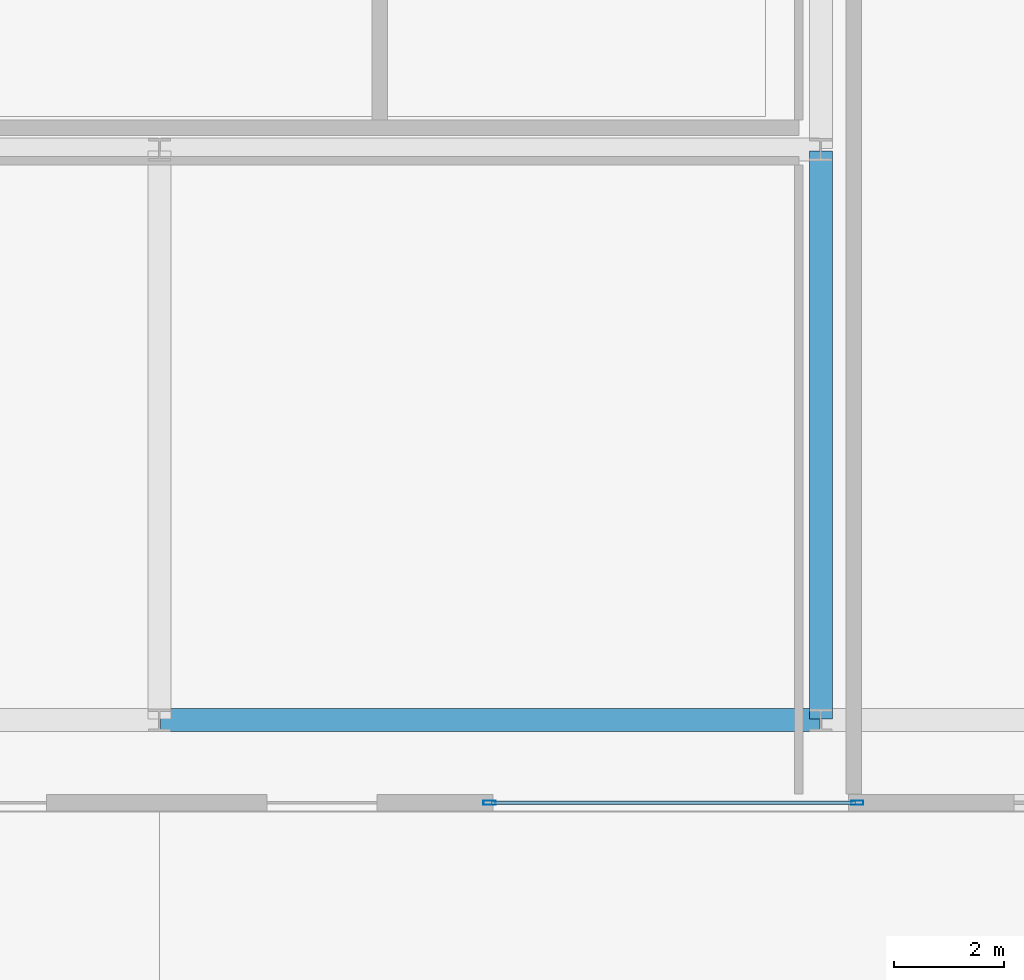
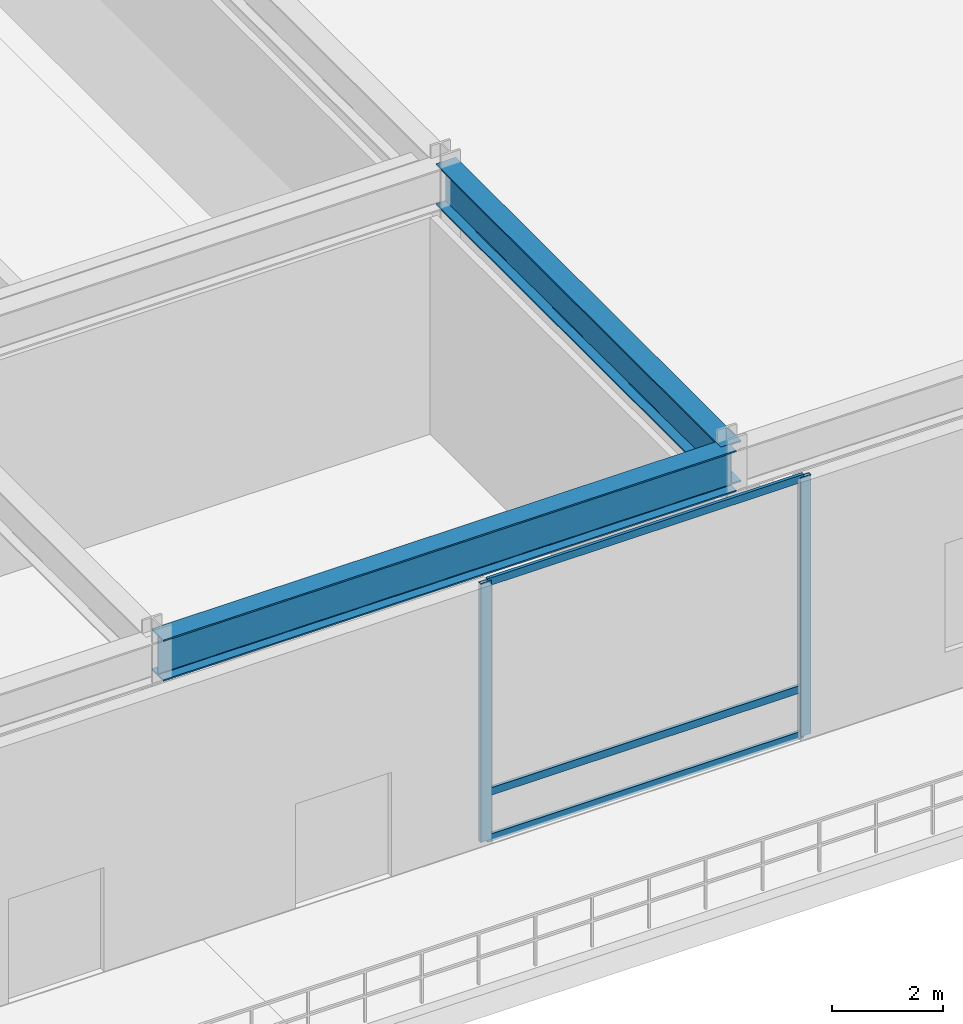
# One storey, part 7 of 17: 5 members, 2 beams, 1 element without a shape of its own.
"""IFC4 building model written with IfcOpenShell, lengths in metres."""

from ifc_helpers import new_model, si_unit, direction, frame, origin, origin_2d, place, context, subcontext, project, spatial, hollow_rectangle, i_section, extrude, source, transform, mapped, material, layer, layer_set, material_profile, profile_set, type_object, type_shapes, element, aggregate, save


model = new_model("IFC4")

# Units and contexts
model_context = context("Model", 3, precision=1e-05, world=origin(), true_north=direction((0.0, 1.0)))
body_context = subcontext(model_context, "Body", "Model", "MODEL_VIEW")
ifc_project = project(units=[si_unit("LENGTHUNIT", "METRE"), si_unit("AREAUNIT", "SQUARE_METRE"), si_unit("VOLUMEUNIT", "CUBIC_METRE"), si_unit("PLANEANGLEUNIT", "RADIAN"), si_unit("MASSUNIT", "GRAM", prefix="KILO")], contexts=[model_context])

# Site, building, storey
site_placement = place(None, origin())
site = spatial("IfcSite", under=ifc_project, at=site_placement, CompositionType="ELEMENT")
building_placement = place(site_placement, origin())
building = spatial("IfcBuilding", under=site, at=building_placement, Name="Varnel Quay Broadcast Tower", CompositionType="ELEMENT")
storey_placement = place(building_placement, origin())
storey = spatial("IfcBuildingStorey", under=building, at=storey_placement, Name="L00", CompositionType="ELEMENT", Elevation=0.0)

# Beams
ifc_material_1 = material(Name="Structural Steel CSA G40.21 350W", Category="steel")
ifc_material_profile_1 = material_profile(ifc_material_1, i_section(OverallWidth=0.41796875, OverallDepth=0.912109375, WebThickness=0.019287109375, FlangeThickness=0.031982421875, FilletRadius=0.02197265625, at=origin_2d()), Name="W920X342")
ifc_profile_set_1 = profile_set([ifc_material_profile_1], Name="Structural Steel CSA G40.21 350W")
beam_type = type_object("IfcBeamType", Name="Girder_W920X342", PredefinedType="BEAM", material=ifc_profile_set_1)
shared_shape_1 = source(origin(), body_context, "Body", "SweptSolid", [
    extrude(i_section(OverallWidth=0.41796875, OverallDepth=0.912109375, WebThickness=0.019287109375, FlangeThickness=0.031982421875, FilletRadius=0.02197265625, at=origin_2d()), origin(), (0.0, 0.0, 1.0), 11.9599609375),
])
beam_1_placement = place(storey_placement, frame((34.02001953125, 1.64990234375, 5.263916015625), z_axis=(1.0, 0.0, 0.0), x_axis=(0.0, 1.0, 0.0)))
element("IfcBeam", 1, at=beam_1_placement, inside=storey, type_object=beam_type, Name="L00 Girder G-PS3", PredefinedType="BEAM", context=body_context, shape_type="MappedRepresentation", body=[
    mapped(shared_shape_1, transform((0.0, 0.0, 0.0), x_axis=(1.0, 0.0, 0.0), y_axis=(0.0, 1.0, 0.0), z_axis=(0.0, 0.0, 1.0), scale=1.0)),
])
shared_shape_2 = source(origin(), body_context, "Body", "SweptSolid", [
    extrude(i_section(OverallWidth=0.41796875, OverallDepth=0.912109375, WebThickness=0.019287109375, FlangeThickness=0.031982421875, FilletRadius=0.02197265625, at=origin_2d()), origin(), (0.0, 0.0, 1.0), 10.31005859375),
])
type_shapes(beam_type, [shared_shape_1, shared_shape_2])
beam_2_placement = place(storey_placement, frame((46.0, 1.669921875, 5.263916015625), z_axis=(0.0, 1.0, 0.0), x_axis=(-1.0, 0.0, 0.0)))
element("IfcBeam", 2, at=beam_2_placement, inside=storey, type_object=beam_type, Name="L00 Girder G-M3", PredefinedType="BEAM", context=body_context, shape_type="MappedRepresentation", body=[
    mapped(shared_shape_2, transform((0.0, 0.0, 0.0), x_axis=(1.0, 0.0, 0.0), y_axis=(0.0, 1.0, 0.0), z_axis=(0.0, 0.0, 1.0), scale=1.0)),
])

# Curtain wall, members
ifc_material_2 = material(Name="Anodised Bronze Aluminium 6063-T6", Category="aluminium")
ifc_layer = layer(ifc_material_2, 0.18994140625, Name="Anodised Bronze Aluminium 6063-T6")
ifc_layer_set = layer_set([ifc_layer], Name="Anodised Bronze Aluminium 6063-T6")
curtain_wall_type = type_object("IfcCurtainWallType", Name="CW_PodiumForum", PredefinedType="NOTDEFINED", material=ifc_layer_set)
curtain_wall_placement = place(storey_placement, origin())
curtain_wall = element("IfcCurtainWall", 3, at=curtain_wall_placement, inside=storey, type_object=curtain_wall_type, Name="L00 Waterfront Forum East Glazing", PredefinedType="NOTDEFINED")
ifc_material_profile_2 = material_profile(ifc_material_2, hollow_rectangle(XDim=0.074951171875, YDim=0.219970703125, WallThickness=0.00390625, at=origin_2d()), Name="ALU75X220X4")
ifc_profile_set_2 = profile_set([ifc_material_profile_2], Name="Anodised Bronze Aluminium 6063-T6")
member_type_1 = type_object("IfcMemberType", Name="Mull_CWS-01", PredefinedType="MULLION", material=ifc_profile_set_2)
shared_shape_3 = source(origin(), body_context, "Body", "SweptSolid", [
    extrude(hollow_rectangle(XDim=0.074951171875, YDim=0.219970703125, WallThickness=0.00390625, at=origin_2d()), origin(), (0.0, 0.0, 1.0), 5.719970703125),
])
type_shapes(member_type_1, [shared_shape_3])
member_1_placement = place(storey_placement, frame((39.987548828125, 0.14990234375, 0.0), z_axis=(0.0, 0.0, 1.0), x_axis=(0.0, 1.0, 0.0)))
member_1 = element("IfcMember", 4, at=member_1_placement, type_object=member_type_1, Name="CWS-01 mullion 1", PredefinedType="MULLION", context=body_context, shape_type="MappedRepresentation", body=[
    mapped(shared_shape_3, transform((0.0, 0.0, 0.0), x_axis=(1.0, 0.0, 0.0), y_axis=(0.0, 1.0, 0.0), z_axis=(0.0, 0.0, 1.0), scale=1.0)),
])
member_2_placement = place(storey_placement, frame((46.66259765625, 0.14990234375, 0.0), z_axis=(0.0, 0.0, 1.0), x_axis=(0.0, 1.0, 0.0)))
member_2 = element("IfcMember", 5, at=member_2_placement, type_object=member_type_1, Name="CWS-01 mullion 2", PredefinedType="MULLION", context=body_context, shape_type="MappedRepresentation", body=[
    mapped(shared_shape_3, transform((0.0, 0.0, 0.0), x_axis=(1.0, 0.0, 0.0), y_axis=(0.0, 1.0, 0.0), z_axis=(0.0, 0.0, 1.0), scale=1.0)),
])
ifc_material_profile_3 = material_profile(ifc_material_2, hollow_rectangle(XDim=0.06494140625, YDim=0.1650390625, WallThickness=0.00341796875, at=origin_2d()), Name="ALU65X165X3.5")
ifc_profile_set_3 = profile_set([ifc_material_profile_3], Name="Anodised Bronze Aluminium 6063-T6")
member_type_2 = type_object("IfcMemberType", Name="Tran_CWS-01", PredefinedType="USERDEFINED", material=ifc_profile_set_3)
shared_shape_4 = source(origin(), body_context, "Body", "SweptSolid", [
    extrude(hollow_rectangle(XDim=0.06494140625, YDim=0.1650390625, WallThickness=0.00341796875, at=origin_2d()), origin(), (0.0, 0.0, 1.0), 6.60009765625),
])
type_shapes(member_type_2, [shared_shape_4])
member_3_placement = place(storey_placement, frame((40.02490234375, 0.14990234375, 0.032470703125), z_axis=(1.0, 0.0, 0.0), x_axis=(0.0, 1.0, 0.0)))
member_3 = element("IfcMember", 6, at=member_3_placement, type_object=member_type_2, Name="CWS-01 transom 1.1", ObjectType="TRANSOM", PredefinedType="USERDEFINED", context=body_context, shape_type="MappedRepresentation", body=[
    mapped(shared_shape_4, transform((0.0, 0.0, 0.0), x_axis=(1.0, 0.0, 0.0), y_axis=(0.0, 1.0, 0.0), z_axis=(0.0, 0.0, 1.0), scale=1.0)),
])
member_4_placement = place(storey_placement, frame((40.02490234375, 0.14990234375, 1.050048828125), z_axis=(1.0, 0.0, 0.0), x_axis=(0.0, 1.0, 0.0)))
member_4 = element("IfcMember", 7, at=member_4_placement, type_object=member_type_2, Name="CWS-01 transom 1.2", ObjectType="TRANSOM", PredefinedType="USERDEFINED", context=body_context, shape_type="MappedRepresentation", body=[
    mapped(shared_shape_4, transform((0.0, 0.0, 0.0), x_axis=(1.0, 0.0, 0.0), y_axis=(0.0, 1.0, 0.0), z_axis=(0.0, 0.0, 1.0), scale=1.0)),
])
member_5_placement = place(storey_placement, frame((40.02490234375, 0.14990234375, 5.6875), z_axis=(1.0, 0.0, 0.0), x_axis=(0.0, 1.0, 0.0)))
member_5 = element("IfcMember", 8, at=member_5_placement, type_object=member_type_2, Name="CWS-01 transom 1.3", ObjectType="TRANSOM", PredefinedType="USERDEFINED", context=body_context, shape_type="MappedRepresentation", body=[
    mapped(shared_shape_4, transform((0.0, 0.0, 0.0), x_axis=(1.0, 0.0, 0.0), y_axis=(0.0, 1.0, 0.0), z_axis=(0.0, 0.0, 1.0), scale=1.0)),
])
aggregate(curtain_wall, [member_1, member_2, member_3, member_4, member_5])

save(model, "model.ifc")
